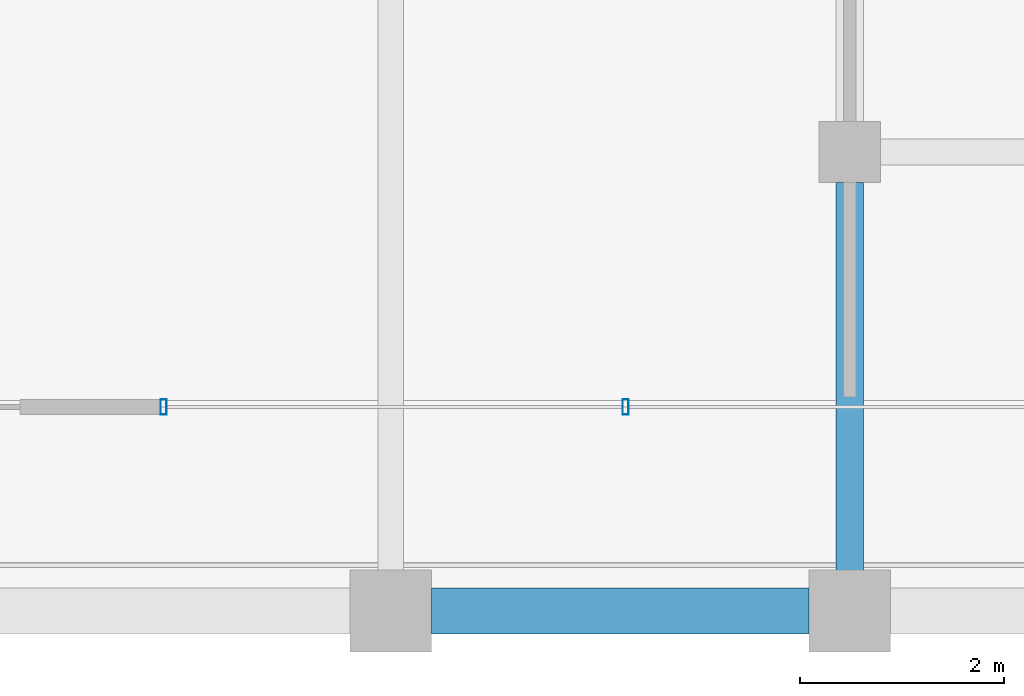
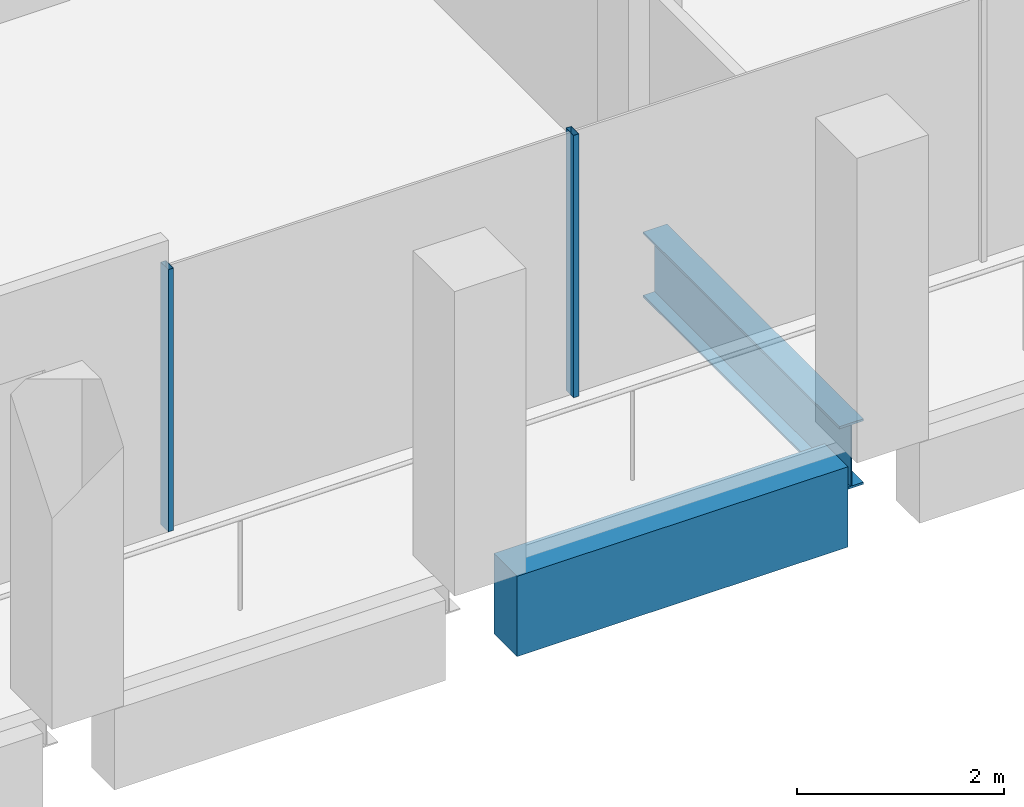
# One storey, part 9 of 30: 2 beams, 2 members, 1 element without a shape of its own.
"""IFC4 building model written with IfcOpenShell, lengths in metres."""

from ifc_helpers import new_model, si_unit, direction, frame, origin, origin_2d, place, context, subcontext, project, spatial, rectangle, hollow_rectangle, i_section, extrude, material, material_profile, profile_set, type_object, element, aggregate, save


model = new_model("IFC4")

# Units and contexts
model_context = context("Model", 3, precision=1e-05, world=origin(), true_north=direction((0.0, 1.0)))
body_context = subcontext(model_context, "Body", "Model", "MODEL_VIEW")
ifc_project = project(units=[si_unit("LENGTHUNIT", "METRE"), si_unit("AREAUNIT", "SQUARE_METRE"), si_unit("VOLUMEUNIT", "CUBIC_METRE"), si_unit("PLANEANGLEUNIT", "RADIAN"), si_unit("MASSUNIT", "GRAM", prefix="KILO")], contexts=[model_context])

# Site, building, storey
site_placement = place(None, origin())
site = spatial("IfcSite", under=ifc_project, at=site_placement, CompositionType="ELEMENT")
building_placement = place(site_placement, origin())
building = spatial("IfcBuilding", under=site, at=building_placement, Name="Altepetl Exchange Towers", CompositionType="ELEMENT")
storey_placement = place(building_placement, frame((0.0, 0.0, 235.199951171875)))
storey = spatial("IfcBuildingStorey", under=building, at=storey_placement, Name="L60", CompositionType="ELEMENT", Elevation=235.199951171875)

# Beam
ifc_material_1 = material(Name="Steel S355", Category="steel")
ifc_material_profile_1 = material_profile(ifc_material_1, i_section(OverallWidth=0.26806640625, OverallDepth=0.77392578125, WebThickness=0.015380859375, FlangeThickness=0.025390625, at=origin_2d()), Name="W30X132")
ifc_profile_set_1 = profile_set([ifc_material_profile_1], Name="Steel S355")
beam_type_1 = type_object("IfcBeamType", Name="Girder W30X132", PredefinedType="BEAM", material=ifc_profile_set_1)
beam_1_placement = place(storey_placement, frame((58.5, 31.199951171875, -0.536865234375), z_axis=(0.0, -1.0, 0.0), x_axis=(1.0, 0.0, 0.0)))
element("IfcBeam", 1, at=beam_1_placement, inside=storey, type_object=beam_type_1, Name="gd:A:L60:005", PredefinedType="BEAM", context=body_context, shape_type="SweptSolid", body=[
    extrude(i_section(OverallWidth=0.26806640625, OverallDepth=0.77392578125, WebThickness=0.015380859375, FlangeThickness=0.025390625, at=origin_2d()), origin(), (0.0, 0.0, 1.0), 3.800048828125),
])

# Curtain wall, members
ifc_material_2 = material(Name="Aluminium 6063-T6 glazing", Category="aluminium")
curtain_wall_type = type_object("IfcCurtainWallType", Name="Loggia glazing system", PredefinedType="NOTDEFINED", material=ifc_material_2)
curtain_wall_placement = place(storey_placement, origin())
curtain_wall = element("IfcCurtainWall", 2, at=curtain_wall_placement, inside=storey, type_object=curtain_wall_type, Name="CW1 run", PredefinedType="NOTDEFINED")
ifc_material_3 = material(Name="Aluminium 6063-T6", Category="aluminium")
ifc_material_profile_2 = material_profile(ifc_material_3, hollow_rectangle(XDim=0.06005859375, YDim=0.14990234375, WallThickness=0.0029296875, at=origin_2d()), Name="Mullion 60x150 aluminium")
ifc_profile_set_2 = profile_set([ifc_material_profile_2], Name="Aluminium 6063-T6")
member_type = type_object("IfcMemberType", Name="Mullion 60x150 aluminium", PredefinedType="MULLION", material=ifc_profile_set_2)
member_1_placement = place(storey_placement, frame((51.77294921875, 29.0, 0.0)))
member_1 = element("IfcMember", 3, at=member_1_placement, type_object=member_type, Name="MU1 mullion", PredefinedType="MULLION", context=body_context, shape_type="SweptSolid", body=[
    extrude(hollow_rectangle(XDim=0.06005859375, YDim=0.14990234375, WallThickness=0.0029296875, at=origin_2d()), origin(), (0.0, 0.0, 1.0), 3.10009765625),
])
member_2_placement = place(storey_placement, frame((56.303466796875, 29.0, 0.0)))
member_2 = element("IfcMember", 4, at=member_2_placement, type_object=member_type, Name="MU1 mullion", PredefinedType="MULLION", context=body_context, shape_type="SweptSolid", body=[
    extrude(hollow_rectangle(XDim=0.06005859375, YDim=0.14990234375, WallThickness=0.0029296875, at=origin_2d()), origin(), (0.0, 0.0, 1.0), 3.10009765625),
])
aggregate(curtain_wall, [member_1, member_2])

# Beam
ifc_material_4 = material(Name="Concrete C50/60 precast with cantera blanca facing", Category="concrete")
ifc_material_profile_3 = material_profile(ifc_material_4, rectangle(XDim=0.449951171875, YDim=0.949951171875, at=origin_2d()), Name="450 x 950")
ifc_profile_set_3 = profile_set([ifc_material_profile_3], Name="Concrete C50/60 precast with cantera blanca facing")
beam_type_2 = type_object("IfcBeamType", Name="Spandrel beam 450x950 cantera blanca", PredefinedType="SPANDREL", material=ifc_profile_set_3)
beam_2_placement = place(storey_placement, frame((54.39990234375, 27.0, -0.625), z_axis=(1.0, 0.0, 0.0), x_axis=(0.0, 1.0, 0.0)))
element("IfcBeam", 5, at=beam_2_placement, inside=storey, type_object=beam_type_2, Name="sp:A:L60:005", PredefinedType="SPANDREL", context=body_context, shape_type="SweptSolid", body=[
    extrude(rectangle(XDim=0.449951171875, YDim=0.949951171875, at=origin_2d()), origin(), (0.0, 0.0, 1.0), 3.7001953125),
])

save(model, "model.ifc")
